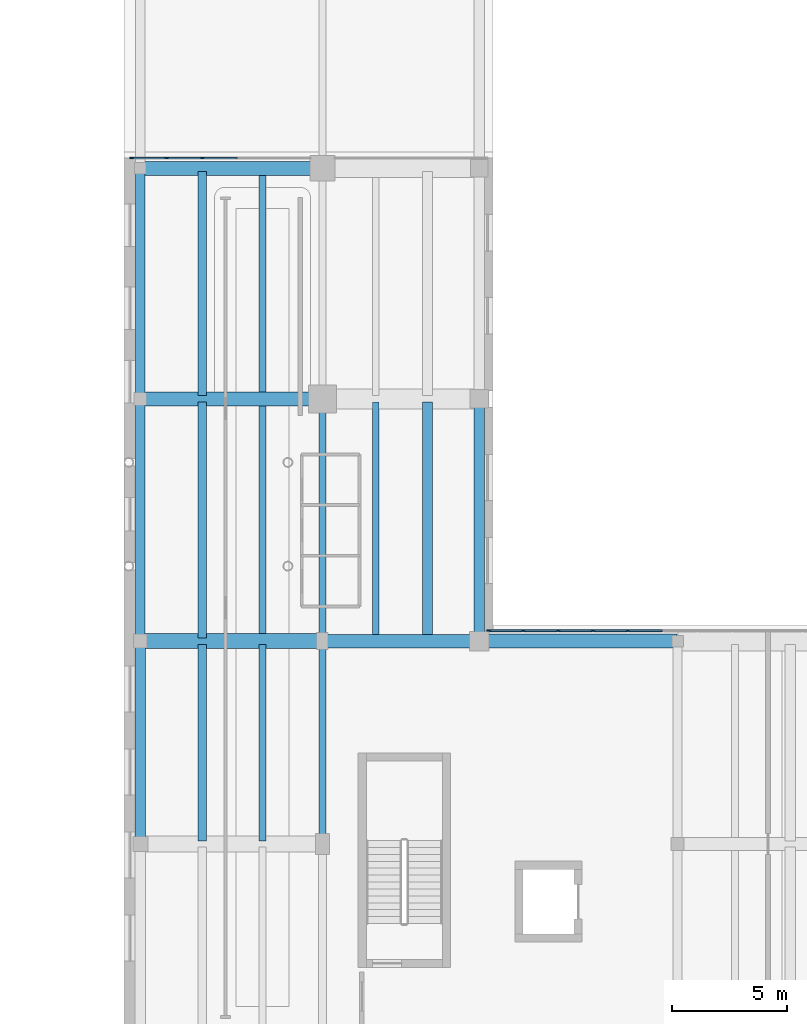
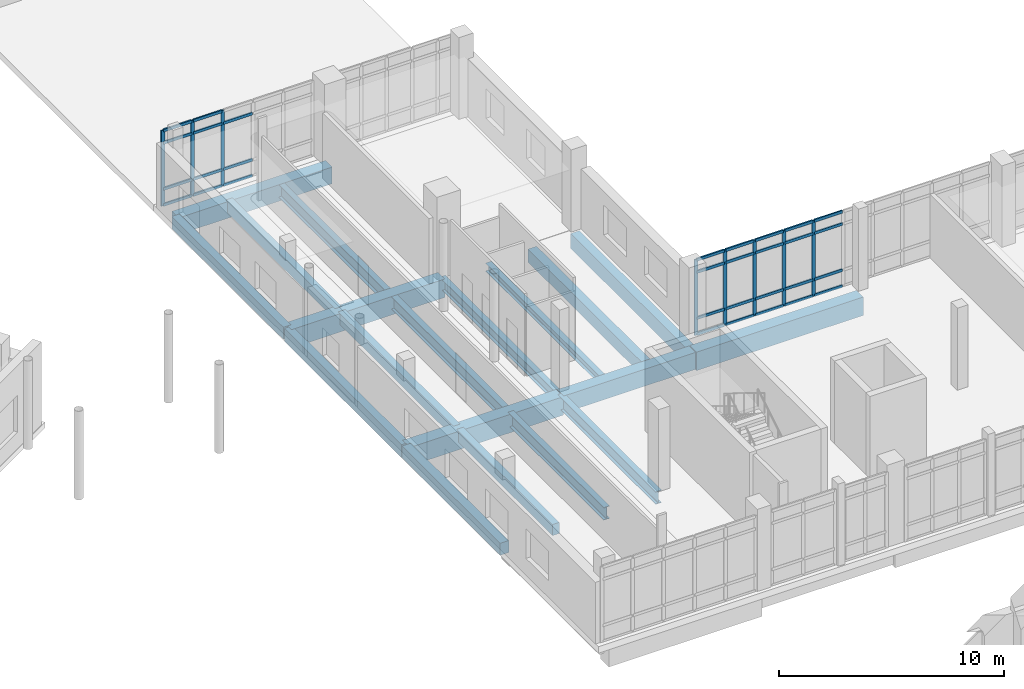
# One storey, part 36 of 89: 39 members, 19 beams, 2 elements without a shape of their own.
"""IFC4 building model written with IfcOpenShell, lengths in metres."""

from ifc_helpers import new_model, si_unit, direction, frame, origin, origin_2d, place, context, subcontext, project, spatial, rectangle, i_section, extrude, material, material_profile, profile_set, type_object, element, aggregate, save


model = new_model("IFC4")

# Units and contexts
model_context = context("Model", 3, precision=1e-05, world=origin(), true_north=direction((0.0, 1.0)))
body_context = subcontext(model_context, "Body", "Model", "MODEL_VIEW")
ifc_project = project(units=[si_unit("LENGTHUNIT", "METRE"), si_unit("AREAUNIT", "SQUARE_METRE"), si_unit("VOLUMEUNIT", "CUBIC_METRE"), si_unit("PLANEANGLEUNIT", "RADIAN"), si_unit("MASSUNIT", "GRAM", prefix="KILO")], contexts=[model_context])

# Site, building, storey
site_placement = place(None, origin())
site = spatial("IfcSite", under=ifc_project, at=site_placement, CompositionType="ELEMENT")
building_placement = place(site_placement, origin())
building = spatial("IfcBuilding", under=site, at=building_placement, Name="Soyqirgoq Riverine Aquarium", CompositionType="ELEMENT")
storey_placement = place(building_placement, frame((0.0, 0.0, 5.39990234375)))
storey = spatial("IfcBuildingStorey", under=building, at=storey_placement, Name="L02", CompositionType="ELEMENT", Elevation=5.39990234375)

# Beams
ifc_material_1 = material(Name="Concrete C40/50", Category="concrete")
ifc_material_profile_1 = material_profile(ifc_material_1, rectangle(XDim=0.35009765625, YDim=0.60009765625, at=origin_2d()), Name="RC 350x600")
ifc_profile_set_1 = profile_set([ifc_material_profile_1], Name="Concrete C40/50")
beam_type_1 = type_object("IfcBeamType", Name="Beam_RC_350x600", PredefinedType="JOIST", material=ifc_profile_set_1)
beam_1_placement = place(storey_placement, frame((117.385986328125, 65.639892578125, -0.64990234375), z_axis=(0.0, 1.0, 0.0), x_axis=(-1.0, 0.0, 0.0)))
element("IfcBeam", 1, at=beam_1_placement, inside=storey, type_object=beam_type_1, Name="V7 L02 Secondary Bay Joist 1343", PredefinedType="JOIST", context=body_context, shape_type="SweptSolid", body=[
    extrude(rectangle(XDim=0.35009765625, YDim=0.60009765625, at=origin_2d()), origin(), (0.0, 0.0, 1.0), 8.52001953125),
])
beam_2_placement = place(storey_placement, frame((117.385986328125, 74.43994140625, -0.64990234375), z_axis=(0.0, 1.0, 0.0), x_axis=(-1.0, 0.0, 0.0)))
element("IfcBeam", 2, at=beam_2_placement, inside=storey, type_object=beam_type_1, Name="V7 L02 Secondary Bay Joist 1349", PredefinedType="JOIST", context=body_context, shape_type="SweptSolid", body=[
    extrude(rectangle(XDim=0.35009765625, YDim=0.60009765625, at=origin_2d()), origin(), (0.0, 0.0, 1.0), 10.219970703125),
])
beam_3_placement = place(storey_placement, frame((117.385986328125, 84.93994140625, -0.64990234375), z_axis=(0.0, 1.0, 0.0), x_axis=(-1.0, 0.0, 0.0)))
element("IfcBeam", 3, at=beam_3_placement, inside=storey, type_object=beam_type_1, Name="V7 L02 Secondary Bay Joist 1353", PredefinedType="JOIST", context=body_context, shape_type="SweptSolid", body=[
    extrude(rectangle(XDim=0.35009765625, YDim=0.60009765625, at=origin_2d()), origin(), (0.0, 0.0, 1.0), 9.719970703125),
])
ifc_material_2 = material(Name="Concrete C40/50", Category="concrete")
ifc_material_profile_2 = material_profile(ifc_material_2, rectangle(XDim=0.39990234375, YDim=0.64990234375, at=origin_2d()), Name="RC 400x650")
ifc_profile_set_2 = profile_set([ifc_material_profile_2], Name="Concrete C40/50")
beam_type_2 = type_object("IfcBeamType", Name="Beam_RC_400x650", PredefinedType="BEAM", material=ifc_profile_set_2)
beam_4_placement = place(storey_placement, frame((114.699951171875, 84.85009765625, -0.6748046875), z_axis=(0.0, 1.0, 0.0), x_axis=(-1.0, 0.0, 0.0)))
element("IfcBeam", 4, at=beam_4_placement, inside=storey, type_object=beam_type_2, Name="V7 L02 North-South Frame Beam 1295", PredefinedType="BEAM", context=body_context, shape_type="SweptSolid", body=[
    extrude(rectangle(XDim=0.39990234375, YDim=0.64990234375, at=origin_2d()), origin(), (0.0, 0.0, 1.0), 9.89990234375),
])
ifc_material_3 = material(Name="Concrete C40/50", Category="concrete")
ifc_material_profile_3 = material_profile(ifc_material_3, rectangle(XDim=0.39990234375, YDim=0.699951171875, at=origin_2d()), Name="RC 400x700")
ifc_profile_set_3 = profile_set([ifc_material_profile_3], Name="Concrete C40/50")
beam_type_3 = type_object("IfcBeamType", Name="Beam_RC_400x700", PredefinedType="BEAM", material=ifc_profile_set_3)
beam_5_placement = place(storey_placement, frame((114.699951171875, 74.35009765625, -0.699951171875), z_axis=(0.0, 1.0, 0.0), x_axis=(-1.0, 0.0, 0.0)))
element("IfcBeam", 5, at=beam_5_placement, inside=storey, type_object=beam_type_3, Name="V7 L02 North-South Frame Beam 1293", PredefinedType="BEAM", context=body_context, shape_type="SweptSolid", body=[
    extrude(rectangle(XDim=0.39990234375, YDim=0.699951171875, at=origin_2d()), origin(), (0.0, 0.0, 1.0), 10.39990234375),
])
ifc_material_4 = material(Name="Concrete C40/50", Category="concrete")
ifc_material_profile_4 = material_profile(ifc_material_4, rectangle(XDim=0.449951171875, YDim=0.64990234375, at=origin_2d()), Name="RC 450x650")
ifc_profile_set_4 = profile_set([ifc_material_profile_4], Name="Concrete C40/50")
beam_type_4 = type_object("IfcBeamType", Name="Beam_RC_450x650", PredefinedType="BEAM", material=ifc_profile_set_4)
beam_6_placement = place(storey_placement, frame((114.699951171875, 65.550048828125, -0.6748046875), z_axis=(0.0, 1.0, 0.0), x_axis=(-1.0, 0.0, 0.0)))
element("IfcBeam", 6, at=beam_6_placement, inside=storey, type_object=beam_type_4, Name="V7 L02 North-South Frame Beam 1291", PredefinedType="BEAM", context=body_context, shape_type="SweptSolid", body=[
    extrude(rectangle(XDim=0.449951171875, YDim=0.64990234375, at=origin_2d()), origin(), (0.0, 0.0, 1.0), 8.699951171875),
])
ifc_material_5 = material(Name="Concrete C40/50", Category="concrete")
ifc_material_profile_5 = material_profile(ifc_material_5, rectangle(XDim=0.449951171875, YDim=0.699951171875, at=origin_2d()), Name="RC 450x700")
ifc_profile_set_5 = profile_set([ifc_material_profile_5], Name="Concrete C40/50")
beam_type_5 = type_object("IfcBeamType", Name="Beam_RC_450x700", PredefinedType="BEAM", material=ifc_profile_set_5)
beam_7_placement = place(storey_placement, frame((127.156005859375, 74.43994140625, -0.699951171875), z_axis=(0.0, 1.0, 0.0), x_axis=(-1.0, 0.0, 0.0)))
element("IfcBeam", 7, at=beam_7_placement, inside=storey, type_object=beam_type_5, Name="V7 L02 Secondary Bay Joist 1352", PredefinedType="BEAM", context=body_context, shape_type="SweptSolid", body=[
    extrude(rectangle(XDim=0.449951171875, YDim=0.699951171875, at=origin_2d()), origin(), (0.0, 0.0, 1.0), 10.219970703125),
])
ifc_material_6 = material(Name="Concrete C40/50", Category="concrete")
ifc_material_profile_6 = material_profile(ifc_material_6, rectangle(XDim=0.449951171875, YDim=0.800048828125, at=origin_2d()), Name="RC 450x800")
ifc_profile_set_6 = profile_set([ifc_material_profile_6], Name="Concrete C40/50")
beam_type_6 = type_object("IfcBeamType", Name="Beam_RC_450x800", PredefinedType="BEAM", material=ifc_profile_set_6)
beam_8_placement = place(storey_placement, frame((129.39990234375, 74.35009765625, -0.75), z_axis=(0.0, 1.0, 0.0), x_axis=(-1.0, 0.0, 0.0)))
element("IfcBeam", 8, at=beam_8_placement, inside=storey, type_object=beam_type_6, Name="V7 L02 North-South Frame Beam 1315", PredefinedType="BEAM", context=body_context, shape_type="SweptSolid", body=[
    extrude(rectangle(XDim=0.449951171875, YDim=0.800048828125, at=origin_2d()), origin(), (0.0, 0.0, 1.0), 10.39990234375),
])

# Curtain wall, members
ifc_material_7 = material(Name="Anodised aluminium thermally broken gallery curtain wall", Category="aluminium")
curtain_wall_type = type_object("IfcCurtainWallType", Name="CW_Pavilion_Ribbon", PredefinedType="NOTDEFINED", material=ifc_material_7)
curtain_wall_1_placement = place(storey_placement, origin())
curtain_wall_1 = element("IfcCurtainWall", 9, at=curtain_wall_1_placement, inside=storey, type_object=curtain_wall_type, Name="V7 L02 Curtain Wall 121", PredefinedType="NOTDEFINED")
ifc_material_8 = material(Name="Anodised aluminium 6063-T6", Category="aluminium")
ifc_material_profile_7 = material_profile(ifc_material_8, rectangle(XDim=0.06494140625, YDim=0.179931640625, at=origin_2d()), Name="ALU-M 65x180")
ifc_profile_set_7 = profile_set([ifc_material_profile_7], Name="Anodised aluminium 6063-T6")
member_type_1 = type_object("IfcMemberType", Name="CWMullion_65x180", PredefinedType="MULLION", material=ifc_profile_set_7)
member_1_placement = place(storey_placement, frame((114.322509765625, 95.25, 0.0), z_axis=(0.0, 0.0, 1.0), x_axis=(0.0, 1.0, 0.0)))
member_1 = element("IfcMember", 10, at=member_1_placement, type_object=member_type_1, Name="CW-05 mullion 1", PredefinedType="MULLION", context=body_context, shape_type="SweptSolid", body=[
    extrude(rectangle(XDim=0.06494140625, YDim=0.179931640625, at=origin_2d()), origin(), (0.0, 0.0, 1.0), 4.10009765625),
])
member_2_placement = place(storey_placement, frame((115.837890625, 95.25, 0.0), z_axis=(0.0, 0.0, 1.0), x_axis=(0.0, 1.0, 0.0)))
member_2 = element("IfcMember", 11, at=member_2_placement, type_object=member_type_1, Name="CW-05 mullion 2", PredefinedType="MULLION", context=body_context, shape_type="SweptSolid", body=[
    extrude(rectangle(XDim=0.06494140625, YDim=0.179931640625, at=origin_2d()), origin(), (0.0, 0.0, 1.0), 4.10009765625),
])
member_3_placement = place(storey_placement, frame((117.385986328125, 95.25, 0.0), z_axis=(0.0, 0.0, 1.0), x_axis=(0.0, 1.0, 0.0)))
member_3 = element("IfcMember", 12, at=member_3_placement, type_object=member_type_1, Name="CW-05 mullion 3", PredefinedType="MULLION", context=body_context, shape_type="SweptSolid", body=[
    extrude(rectangle(XDim=0.06494140625, YDim=0.179931640625, at=origin_2d()), origin(), (0.0, 0.0, 1.0), 4.10009765625),
])

curtain_wall_2_placement = place(storey_placement, origin())
curtain_wall_2 = element("IfcCurtainWall", 13, at=curtain_wall_2_placement, inside=storey, type_object=curtain_wall_type, Name="V7 L02 Curtain Wall 123", PredefinedType="NOTDEFINED")
member_4_placement = place(storey_placement, frame((129.822509765625, 74.75, 0.0), z_axis=(0.0, 0.0, 1.0), x_axis=(0.0, 1.0, 0.0)))
member_4 = element("IfcMember", 14, at=member_4_placement, type_object=member_type_1, Name="CW-05 mullion 1", PredefinedType="MULLION", context=body_context, shape_type="SweptSolid", body=[
    extrude(rectangle(XDim=0.06494140625, YDim=0.179931640625, at=origin_2d()), origin(), (0.0, 0.0, 1.0), 4.10009765625),
])
member_5_placement = place(storey_placement, frame((131.303955078125, 74.75, 0.0), z_axis=(0.0, 0.0, 1.0), x_axis=(0.0, 1.0, 0.0)))
member_5 = element("IfcMember", 15, at=member_5_placement, type_object=member_type_1, Name="CW-05 mullion 2", PredefinedType="MULLION", context=body_context, shape_type="SweptSolid", body=[
    extrude(rectangle(XDim=0.06494140625, YDim=0.179931640625, at=origin_2d()), origin(), (0.0, 0.0, 1.0), 4.10009765625),
])
member_6_placement = place(storey_placement, frame((132.818115234375, 74.75, 0.0), z_axis=(0.0, 0.0, 1.0), x_axis=(0.0, 1.0, 0.0)))
member_6 = element("IfcMember", 16, at=member_6_placement, type_object=member_type_1, Name="CW-05 mullion 3", PredefinedType="MULLION", context=body_context, shape_type="SweptSolid", body=[
    extrude(rectangle(XDim=0.06494140625, YDim=0.179931640625, at=origin_2d()), origin(), (0.0, 0.0, 1.0), 4.10009765625),
])
member_7_placement = place(storey_placement, frame((134.33203125, 74.75, 0.0), z_axis=(0.0, 0.0, 1.0), x_axis=(0.0, 1.0, 0.0)))
member_7 = element("IfcMember", 17, at=member_7_placement, type_object=member_type_1, Name="CW-05 mullion 4", PredefinedType="MULLION", context=body_context, shape_type="SweptSolid", body=[
    extrude(rectangle(XDim=0.06494140625, YDim=0.179931640625, at=origin_2d()), origin(), (0.0, 0.0, 1.0), 4.10009765625),
])
member_8_placement = place(storey_placement, frame((135.845947265625, 74.75, 0.0), z_axis=(0.0, 0.0, 1.0), x_axis=(0.0, 1.0, 0.0)))
member_8 = element("IfcMember", 18, at=member_8_placement, type_object=member_type_1, Name="CW-05 mullion 5", PredefinedType="MULLION", context=body_context, shape_type="SweptSolid", body=[
    extrude(rectangle(XDim=0.06494140625, YDim=0.179931640625, at=origin_2d()), origin(), (0.0, 0.0, 1.0), 4.10009765625),
])

# Member
ifc_material_9 = material(Name="Anodised aluminium 6063-T6", Category="aluminium")
ifc_material_profile_8 = material_profile(ifc_material_9, rectangle(XDim=0.074951171875, YDim=0.14990234375, at=origin_2d()), Name="ALU-T 75x150")
ifc_profile_set_8 = profile_set([ifc_material_profile_8], Name="Anodised aluminium 6063-T6")
member_type_2 = type_object("IfcMemberType", Name="CWTransom_75x150", PredefinedType="USERDEFINED", material=ifc_profile_set_8)
member_9_placement = place(storey_placement, frame((114.35498046875, 95.25, 0.03759765625), z_axis=(1.0, 0.0, 0.0), x_axis=(0.0, 1.0, 0.0)))
member_9 = element("IfcMember", 19, at=member_9_placement, type_object=member_type_2, Name="CW-05 transom 1.1", ObjectType="TRANSOM", PredefinedType="USERDEFINED", context=body_context, shape_type="SweptSolid", body=[
    extrude(rectangle(XDim=0.074951171875, YDim=0.14990234375, at=origin_2d()), origin(), (0.0, 0.0, 1.0), 1.450439453125),
])

member_10_placement = place(storey_placement, frame((114.35498046875, 95.25, 0.900146484375), z_axis=(1.0, 0.0, 0.0), x_axis=(0.0, 1.0, 0.0)))
member_10 = element("IfcMember", 20, at=member_10_placement, type_object=member_type_2, Name="CW-05 transom 1.2", ObjectType="TRANSOM", PredefinedType="USERDEFINED", context=body_context, shape_type="SweptSolid", body=[
    extrude(rectangle(XDim=0.074951171875, YDim=0.14990234375, at=origin_2d()), origin(), (0.0, 0.0, 1.0), 1.450439453125),
])

member_11_placement = place(storey_placement, frame((114.35498046875, 95.25, 3.400146484375), z_axis=(1.0, 0.0, 0.0), x_axis=(0.0, 1.0, 0.0)))
member_11 = element("IfcMember", 21, at=member_11_placement, type_object=member_type_2, Name="CW-05 transom 1.3", ObjectType="TRANSOM", PredefinedType="USERDEFINED", context=body_context, shape_type="SweptSolid", body=[
    extrude(rectangle(XDim=0.074951171875, YDim=0.14990234375, at=origin_2d()), origin(), (0.0, 0.0, 1.0), 1.450439453125),
])

member_12_placement = place(storey_placement, frame((114.35498046875, 95.25, 4.0625), z_axis=(1.0, 0.0, 0.0), x_axis=(0.0, 1.0, 0.0)))
member_12 = element("IfcMember", 22, at=member_12_placement, type_object=member_type_2, Name="CW-05 transom 1.4", ObjectType="TRANSOM", PredefinedType="USERDEFINED", context=body_context, shape_type="SweptSolid", body=[
    extrude(rectangle(XDim=0.074951171875, YDim=0.14990234375, at=origin_2d()), origin(), (0.0, 0.0, 1.0), 1.450439453125),
])

member_13_placement = place(storey_placement, frame((115.87060546875, 95.25, 0.03759765625), z_axis=(1.0, 0.0, 0.0), x_axis=(0.0, 1.0, 0.0)))
member_13 = element("IfcMember", 23, at=member_13_placement, type_object=member_type_2, Name="CW-05 transom 2.1", ObjectType="TRANSOM", PredefinedType="USERDEFINED", context=body_context, shape_type="SweptSolid", body=[
    extrude(rectangle(XDim=0.074951171875, YDim=0.14990234375, at=origin_2d()), origin(), (0.0, 0.0, 1.0), 1.48291015625),
])

member_14_placement = place(storey_placement, frame((115.87060546875, 95.25, 0.900146484375), z_axis=(1.0, 0.0, 0.0), x_axis=(0.0, 1.0, 0.0)))
member_14 = element("IfcMember", 24, at=member_14_placement, type_object=member_type_2, Name="CW-05 transom 2.2", ObjectType="TRANSOM", PredefinedType="USERDEFINED", context=body_context, shape_type="SweptSolid", body=[
    extrude(rectangle(XDim=0.074951171875, YDim=0.14990234375, at=origin_2d()), origin(), (0.0, 0.0, 1.0), 1.48291015625),
])

member_15_placement = place(storey_placement, frame((115.87060546875, 95.25, 3.400146484375), z_axis=(1.0, 0.0, 0.0), x_axis=(0.0, 1.0, 0.0)))
member_15 = element("IfcMember", 25, at=member_15_placement, type_object=member_type_2, Name="CW-05 transom 2.3", ObjectType="TRANSOM", PredefinedType="USERDEFINED", context=body_context, shape_type="SweptSolid", body=[
    extrude(rectangle(XDim=0.074951171875, YDim=0.14990234375, at=origin_2d()), origin(), (0.0, 0.0, 1.0), 1.48291015625),
])

member_16_placement = place(storey_placement, frame((115.87060546875, 95.25, 4.0625), z_axis=(1.0, 0.0, 0.0), x_axis=(0.0, 1.0, 0.0)))
member_16 = element("IfcMember", 26, at=member_16_placement, type_object=member_type_2, Name="CW-05 transom 2.4", ObjectType="TRANSOM", PredefinedType="USERDEFINED", context=body_context, shape_type="SweptSolid", body=[
    extrude(rectangle(XDim=0.074951171875, YDim=0.14990234375, at=origin_2d()), origin(), (0.0, 0.0, 1.0), 1.48291015625),
])

member_17_placement = place(storey_placement, frame((117.41845703125, 95.25, 0.03759765625), z_axis=(1.0, 0.0, 0.0), x_axis=(0.0, 1.0, 0.0)))
member_17 = element("IfcMember", 27, at=member_17_placement, type_object=member_type_2, Name="CW-05 transom 3.1", ObjectType="TRANSOM", PredefinedType="USERDEFINED", context=body_context, shape_type="SweptSolid", body=[
    extrude(rectangle(XDim=0.074951171875, YDim=0.14990234375, at=origin_2d()), origin(), (0.0, 0.0, 1.0), 1.483154296875),
])

member_18_placement = place(storey_placement, frame((117.41845703125, 95.25, 0.900146484375), z_axis=(1.0, 0.0, 0.0), x_axis=(0.0, 1.0, 0.0)))
member_18 = element("IfcMember", 28, at=member_18_placement, type_object=member_type_2, Name="CW-05 transom 3.2", ObjectType="TRANSOM", PredefinedType="USERDEFINED", context=body_context, shape_type="SweptSolid", body=[
    extrude(rectangle(XDim=0.074951171875, YDim=0.14990234375, at=origin_2d()), origin(), (0.0, 0.0, 1.0), 1.483154296875),
])

member_19_placement = place(storey_placement, frame((117.41845703125, 95.25, 3.400146484375), z_axis=(1.0, 0.0, 0.0), x_axis=(0.0, 1.0, 0.0)))
member_19 = element("IfcMember", 29, at=member_19_placement, type_object=member_type_2, Name="CW-05 transom 3.3", ObjectType="TRANSOM", PredefinedType="USERDEFINED", context=body_context, shape_type="SweptSolid", body=[
    extrude(rectangle(XDim=0.074951171875, YDim=0.14990234375, at=origin_2d()), origin(), (0.0, 0.0, 1.0), 1.483154296875),
])

aggregate(curtain_wall_1, [member_1, member_2, member_3, member_9, member_10, member_11, member_12, member_13, member_14, member_15, member_16, member_17, member_18, member_19])

member_20_placement = place(storey_placement, frame((129.85498046875, 74.75, 0.03759765625), z_axis=(1.0, 0.0, 0.0), x_axis=(0.0, 1.0, 0.0)))
member_20 = element("IfcMember", 30, at=member_20_placement, type_object=member_type_2, Name="CW-05 transom 1.1", ObjectType="TRANSOM", PredefinedType="USERDEFINED", context=body_context, shape_type="SweptSolid", body=[
    extrude(rectangle(XDim=0.074951171875, YDim=0.14990234375, at=origin_2d()), origin(), (0.0, 0.0, 1.0), 1.41650390625),
])

member_21_placement = place(storey_placement, frame((129.85498046875, 74.75, 0.900146484375), z_axis=(1.0, 0.0, 0.0), x_axis=(0.0, 1.0, 0.0)))
member_21 = element("IfcMember", 31, at=member_21_placement, type_object=member_type_2, Name="CW-05 transom 1.2", ObjectType="TRANSOM", PredefinedType="USERDEFINED", context=body_context, shape_type="SweptSolid", body=[
    extrude(rectangle(XDim=0.074951171875, YDim=0.14990234375, at=origin_2d()), origin(), (0.0, 0.0, 1.0), 1.41650390625),
])

member_22_placement = place(storey_placement, frame((129.85498046875, 74.75, 3.400146484375), z_axis=(1.0, 0.0, 0.0), x_axis=(0.0, 1.0, 0.0)))
member_22 = element("IfcMember", 32, at=member_22_placement, type_object=member_type_2, Name="CW-05 transom 1.3", ObjectType="TRANSOM", PredefinedType="USERDEFINED", context=body_context, shape_type="SweptSolid", body=[
    extrude(rectangle(XDim=0.074951171875, YDim=0.14990234375, at=origin_2d()), origin(), (0.0, 0.0, 1.0), 1.41650390625),
])

member_23_placement = place(storey_placement, frame((129.85498046875, 74.75, 4.0625), z_axis=(1.0, 0.0, 0.0), x_axis=(0.0, 1.0, 0.0)))
member_23 = element("IfcMember", 33, at=member_23_placement, type_object=member_type_2, Name="CW-05 transom 1.4", ObjectType="TRANSOM", PredefinedType="USERDEFINED", context=body_context, shape_type="SweptSolid", body=[
    extrude(rectangle(XDim=0.074951171875, YDim=0.14990234375, at=origin_2d()), origin(), (0.0, 0.0, 1.0), 1.41650390625),
])

member_24_placement = place(storey_placement, frame((131.33642578125, 74.75, 0.03759765625), z_axis=(1.0, 0.0, 0.0), x_axis=(0.0, 1.0, 0.0)))
member_24 = element("IfcMember", 34, at=member_24_placement, type_object=member_type_2, Name="CW-05 transom 2.1", ObjectType="TRANSOM", PredefinedType="USERDEFINED", context=body_context, shape_type="SweptSolid", body=[
    extrude(rectangle(XDim=0.074951171875, YDim=0.14990234375, at=origin_2d()), origin(), (0.0, 0.0, 1.0), 1.448974609375),
])

member_25_placement = place(storey_placement, frame((131.33642578125, 74.75, 0.900146484375), z_axis=(1.0, 0.0, 0.0), x_axis=(0.0, 1.0, 0.0)))
member_25 = element("IfcMember", 35, at=member_25_placement, type_object=member_type_2, Name="CW-05 transom 2.2", ObjectType="TRANSOM", PredefinedType="USERDEFINED", context=body_context, shape_type="SweptSolid", body=[
    extrude(rectangle(XDim=0.074951171875, YDim=0.14990234375, at=origin_2d()), origin(), (0.0, 0.0, 1.0), 1.448974609375),
])

member_26_placement = place(storey_placement, frame((131.33642578125, 74.75, 3.400146484375), z_axis=(1.0, 0.0, 0.0), x_axis=(0.0, 1.0, 0.0)))
member_26 = element("IfcMember", 36, at=member_26_placement, type_object=member_type_2, Name="CW-05 transom 2.3", ObjectType="TRANSOM", PredefinedType="USERDEFINED", context=body_context, shape_type="SweptSolid", body=[
    extrude(rectangle(XDim=0.074951171875, YDim=0.14990234375, at=origin_2d()), origin(), (0.0, 0.0, 1.0), 1.448974609375),
])

member_27_placement = place(storey_placement, frame((131.33642578125, 74.75, 4.0625), z_axis=(1.0, 0.0, 0.0), x_axis=(0.0, 1.0, 0.0)))
member_27 = element("IfcMember", 37, at=member_27_placement, type_object=member_type_2, Name="CW-05 transom 2.4", ObjectType="TRANSOM", PredefinedType="USERDEFINED", context=body_context, shape_type="SweptSolid", body=[
    extrude(rectangle(XDim=0.074951171875, YDim=0.14990234375, at=origin_2d()), origin(), (0.0, 0.0, 1.0), 1.448974609375),
])

member_28_placement = place(storey_placement, frame((132.8505859375, 74.75, 0.03759765625), z_axis=(1.0, 0.0, 0.0), x_axis=(0.0, 1.0, 0.0)))
member_28 = element("IfcMember", 38, at=member_28_placement, type_object=member_type_2, Name="CW-05 transom 3.1", ObjectType="TRANSOM", PredefinedType="USERDEFINED", context=body_context, shape_type="SweptSolid", body=[
    extrude(rectangle(XDim=0.074951171875, YDim=0.14990234375, at=origin_2d()), origin(), (0.0, 0.0, 1.0), 1.448974609375),
])

member_29_placement = place(storey_placement, frame((132.8505859375, 74.75, 0.900146484375), z_axis=(1.0, 0.0, 0.0), x_axis=(0.0, 1.0, 0.0)))
member_29 = element("IfcMember", 39, at=member_29_placement, type_object=member_type_2, Name="CW-05 transom 3.2", ObjectType="TRANSOM", PredefinedType="USERDEFINED", context=body_context, shape_type="SweptSolid", body=[
    extrude(rectangle(XDim=0.074951171875, YDim=0.14990234375, at=origin_2d()), origin(), (0.0, 0.0, 1.0), 1.448974609375),
])

member_30_placement = place(storey_placement, frame((132.8505859375, 74.75, 3.400146484375), z_axis=(1.0, 0.0, 0.0), x_axis=(0.0, 1.0, 0.0)))
member_30 = element("IfcMember", 40, at=member_30_placement, type_object=member_type_2, Name="CW-05 transom 3.3", ObjectType="TRANSOM", PredefinedType="USERDEFINED", context=body_context, shape_type="SweptSolid", body=[
    extrude(rectangle(XDim=0.074951171875, YDim=0.14990234375, at=origin_2d()), origin(), (0.0, 0.0, 1.0), 1.448974609375),
])

member_31_placement = place(storey_placement, frame((132.8505859375, 74.75, 4.0625), z_axis=(1.0, 0.0, 0.0), x_axis=(0.0, 1.0, 0.0)))
member_31 = element("IfcMember", 41, at=member_31_placement, type_object=member_type_2, Name="CW-05 transom 3.4", ObjectType="TRANSOM", PredefinedType="USERDEFINED", context=body_context, shape_type="SweptSolid", body=[
    extrude(rectangle(XDim=0.074951171875, YDim=0.14990234375, at=origin_2d()), origin(), (0.0, 0.0, 1.0), 1.448974609375),
])

member_32_placement = place(storey_placement, frame((134.364501953125, 74.75, 0.03759765625), z_axis=(1.0, 0.0, 0.0), x_axis=(0.0, 1.0, 0.0)))
member_32 = element("IfcMember", 42, at=member_32_placement, type_object=member_type_2, Name="CW-05 transom 4.1", ObjectType="TRANSOM", PredefinedType="USERDEFINED", context=body_context, shape_type="SweptSolid", body=[
    extrude(rectangle(XDim=0.074951171875, YDim=0.14990234375, at=origin_2d()), origin(), (0.0, 0.0, 1.0), 1.448974609375),
])

member_33_placement = place(storey_placement, frame((134.364501953125, 74.75, 0.900146484375), z_axis=(1.0, 0.0, 0.0), x_axis=(0.0, 1.0, 0.0)))
member_33 = element("IfcMember", 43, at=member_33_placement, type_object=member_type_2, Name="CW-05 transom 4.2", ObjectType="TRANSOM", PredefinedType="USERDEFINED", context=body_context, shape_type="SweptSolid", body=[
    extrude(rectangle(XDim=0.074951171875, YDim=0.14990234375, at=origin_2d()), origin(), (0.0, 0.0, 1.0), 1.448974609375),
])

member_34_placement = place(storey_placement, frame((134.364501953125, 74.75, 3.400146484375), z_axis=(1.0, 0.0, 0.0), x_axis=(0.0, 1.0, 0.0)))
member_34 = element("IfcMember", 44, at=member_34_placement, type_object=member_type_2, Name="CW-05 transom 4.3", ObjectType="TRANSOM", PredefinedType="USERDEFINED", context=body_context, shape_type="SweptSolid", body=[
    extrude(rectangle(XDim=0.074951171875, YDim=0.14990234375, at=origin_2d()), origin(), (0.0, 0.0, 1.0), 1.448974609375),
])

member_35_placement = place(storey_placement, frame((134.364501953125, 74.75, 4.0625), z_axis=(1.0, 0.0, 0.0), x_axis=(0.0, 1.0, 0.0)))
member_35 = element("IfcMember", 45, at=member_35_placement, type_object=member_type_2, Name="CW-05 transom 4.4", ObjectType="TRANSOM", PredefinedType="USERDEFINED", context=body_context, shape_type="SweptSolid", body=[
    extrude(rectangle(XDim=0.074951171875, YDim=0.14990234375, at=origin_2d()), origin(), (0.0, 0.0, 1.0), 1.448974609375),
])

member_36_placement = place(storey_placement, frame((135.87841796875, 74.75, 0.03759765625), z_axis=(1.0, 0.0, 0.0), x_axis=(0.0, 1.0, 0.0)))
member_36 = element("IfcMember", 46, at=member_36_placement, type_object=member_type_2, Name="CW-05 transom 5.1", ObjectType="TRANSOM", PredefinedType="USERDEFINED", context=body_context, shape_type="SweptSolid", body=[
    extrude(rectangle(XDim=0.074951171875, YDim=0.14990234375, at=origin_2d()), origin(), (0.0, 0.0, 1.0), 1.448974609375),
])

member_37_placement = place(storey_placement, frame((135.87841796875, 74.75, 0.900146484375), z_axis=(1.0, 0.0, 0.0), x_axis=(0.0, 1.0, 0.0)))
member_37 = element("IfcMember", 47, at=member_37_placement, type_object=member_type_2, Name="CW-05 transom 5.2", ObjectType="TRANSOM", PredefinedType="USERDEFINED", context=body_context, shape_type="SweptSolid", body=[
    extrude(rectangle(XDim=0.074951171875, YDim=0.14990234375, at=origin_2d()), origin(), (0.0, 0.0, 1.0), 1.448974609375),
])

member_38_placement = place(storey_placement, frame((135.87841796875, 74.75, 3.400146484375), z_axis=(1.0, 0.0, 0.0), x_axis=(0.0, 1.0, 0.0)))
member_38 = element("IfcMember", 48, at=member_38_placement, type_object=member_type_2, Name="CW-05 transom 5.3", ObjectType="TRANSOM", PredefinedType="USERDEFINED", context=body_context, shape_type="SweptSolid", body=[
    extrude(rectangle(XDim=0.074951171875, YDim=0.14990234375, at=origin_2d()), origin(), (0.0, 0.0, 1.0), 1.448974609375),
])

member_39_placement = place(storey_placement, frame((135.87841796875, 74.75, 4.0625), z_axis=(1.0, 0.0, 0.0), x_axis=(0.0, 1.0, 0.0)))
member_39 = element("IfcMember", 49, at=member_39_placement, type_object=member_type_2, Name="CW-05 transom 5.4", ObjectType="TRANSOM", PredefinedType="USERDEFINED", context=body_context, shape_type="SweptSolid", body=[
    extrude(rectangle(XDim=0.074951171875, YDim=0.14990234375, at=origin_2d()), origin(), (0.0, 0.0, 1.0), 1.448974609375),
])

aggregate(curtain_wall_2, [member_4, member_5, member_6, member_7, member_8, member_20, member_21, member_22, member_23, member_24, member_25, member_26, member_27, member_28, member_29, member_30, member_31, member_32, member_33, member_34, member_35, member_36, member_37, member_38, member_39])

# Beams
ifc_material_10 = material(Name="Concrete C40/50", Category="concrete")
ifc_material_profile_9 = material_profile(ifc_material_10, rectangle(XDim=0.580078125, YDim=0.919921875, at=origin_2d()), Name="RC 580x920")
ifc_profile_set_9 = profile_set([ifc_material_profile_9], Name="Concrete C40/50")
beam_type_7 = type_object("IfcBeamType", Name="Girder_RC_580x920", PredefinedType="BEAM", material=ifc_profile_set_9)
beam_9_placement = place(storey_placement, frame((122.6201171875, 74.300048828125, -0.809814453125), z_axis=(1.0, 0.0, 0.0), x_axis=(0.0, 1.0, 0.0)))
element("IfcBeam", 50, at=beam_9_placement, inside=storey, type_object=beam_type_7, Name="V7 L02 East-West Frame Girder 1306", PredefinedType="BEAM", context=body_context, shape_type="SweptSolid", body=[
    extrude(rectangle(XDim=0.580078125, YDim=0.919921875, at=origin_2d()), origin(), (0.0, 0.0, 1.0), 6.759765625),
])
ifc_material_11 = material(Name="Concrete C40/50", Category="concrete")
ifc_material_profile_10 = material_profile(ifc_material_11, rectangle(XDim=0.60009765625, YDim=1.0, at=origin_2d()), Name="RC 600x1000")
ifc_profile_set_10 = profile_set([ifc_material_profile_10], Name="Concrete C40/50")
beam_type_8 = type_object("IfcBeamType", Name="Girder_RC_600x1000", PredefinedType="BEAM", material=ifc_profile_set_10)
beam_10_placement = place(storey_placement, frame((114.719970703125, 84.800048828125, -0.849853515625), z_axis=(1.0, 0.0, 0.0), x_axis=(0.0, 1.0, 0.0)))
element("IfcBeam", 51, at=beam_10_placement, inside=storey, type_object=beam_type_8, Name="V7 L02 East-West Frame Girder 1296", PredefinedType="BEAM", context=body_context, shape_type="SweptSolid", body=[
    extrude(rectangle(XDim=0.60009765625, YDim=1.0, at=origin_2d()), origin(), (0.0, 0.0, 1.0), 7.860107421875),
])
beam_11_placement = place(storey_placement, frame((129.419921875, 74.300048828125, -0.849853515625), z_axis=(1.0, 0.0, 0.0), x_axis=(0.0, 1.0, 0.0)))
element("IfcBeam", 52, at=beam_11_placement, inside=storey, type_object=beam_type_8, Name="V7 L02 East-West Frame Girder 1316", PredefinedType="BEAM", context=body_context, shape_type="SweptSolid", body=[
    extrude(rectangle(XDim=0.60009765625, YDim=1.0, at=origin_2d()), origin(), (0.0, 0.0, 1.0), 8.56005859375),
])
ifc_material_12 = material(Name="Concrete C40/50", Category="concrete")
ifc_material_profile_11 = material_profile(ifc_material_12, rectangle(XDim=0.60009765625, YDim=0.89990234375, at=origin_2d()), Name="RC 600x900")
ifc_profile_set_11 = profile_set([ifc_material_profile_11], Name="Concrete C40/50")
beam_type_9 = type_object("IfcBeamType", Name="Girder_RC_600x900", PredefinedType="BEAM", material=ifc_profile_set_11)
beam_12_placement = place(storey_placement, frame((114.719970703125, 94.800048828125, -0.7998046875), z_axis=(1.0, 0.0, 0.0), x_axis=(0.0, 1.0, 0.0)))
element("IfcBeam", 53, at=beam_12_placement, inside=storey, type_object=beam_type_9, Name="V7 L02 East-West Frame Girder 1298", PredefinedType="BEAM", context=body_context, shape_type="SweptSolid", body=[
    extrude(rectangle(XDim=0.60009765625, YDim=0.89990234375, at=origin_2d()), origin(), (0.0, 0.0, 1.0), 7.860107421875),
])
ifc_material_13 = material(Name="Concrete C40/50", Category="concrete")
ifc_material_profile_12 = material_profile(ifc_material_13, rectangle(XDim=0.64990234375, YDim=1.0, at=origin_2d()), Name="RC 650x1000")
ifc_profile_set_12 = profile_set([ifc_material_profile_12], Name="Concrete C40/50")
beam_type_10 = type_object("IfcBeamType", Name="Girder_RC_650x1000", PredefinedType="BEAM", material=ifc_profile_set_12)
beam_13_placement = place(storey_placement, frame((114.719970703125, 74.300048828125, -0.849853515625), z_axis=(1.0, 0.0, 0.0), x_axis=(0.0, 1.0, 0.0)))
element("IfcBeam", 54, at=beam_13_placement, inside=storey, type_object=beam_type_10, Name="V7 L02 East-West Frame Girder 1294", PredefinedType="BEAM", context=body_context, shape_type="SweptSolid", body=[
    extrude(rectangle(XDim=0.64990234375, YDim=1.0, at=origin_2d()), origin(), (0.0, 0.0, 1.0), 7.860107421875),
])
ifc_material_14 = material(Name="Structural steel S355", Category="steel")
ifc_material_profile_13 = material_profile(ifc_material_14, i_section(OverallWidth=0.300048828125, OverallDepth=0.43994140625, WebThickness=0.011474609375, FlangeThickness=0.02099609375, FilletRadius=0.027099609375, at=origin_2d()), Name="HEA 450")
ifc_profile_set_13 = profile_set([ifc_material_profile_13], Name="Structural steel S355")
beam_type_11 = type_object("IfcBeamType", Name="SteelBeam_HEA450", PredefinedType="BEAM", material=ifc_profile_set_13)
beam_14_placement = place(storey_placement, frame((124.912109375, 74.43994140625, -0.56982421875), z_axis=(0.0, 1.0, 0.0), x_axis=(-1.0, 0.0, 0.0)))
element("IfcBeam", 55, at=beam_14_placement, inside=storey, type_object=beam_type_11, Name="V7 L02 Secondary Bay Joist 1351", PredefinedType="BEAM", context=body_context, shape_type="SweptSolid", body=[
    extrude(i_section(OverallWidth=0.300048828125, OverallDepth=0.43994140625, WebThickness=0.011474609375, FlangeThickness=0.02099609375, FilletRadius=0.027099609375, at=origin_2d()), origin(), (0.0, 0.0, 1.0), 10.219970703125),
])
ifc_material_15 = material(Name="Structural steel S355", Category="steel")
ifc_material_profile_14 = material_profile(ifc_material_15, i_section(OverallWidth=0.300048828125, OverallDepth=0.590087890625, WebThickness=0.012939453125, FlangeThickness=0.02490234375, FilletRadius=0.027099609375, at=origin_2d()), Name="HEA 600")
ifc_profile_set_14 = profile_set([ifc_material_profile_14], Name="Structural steel S355")
beam_type_12 = type_object("IfcBeamType", Name="SteelBeam_HEA600", PredefinedType="BEAM", material=ifc_profile_set_14)
beam_15_placement = place(storey_placement, frame((122.60009765625, 74.35009765625, -0.64501953125), z_axis=(0.0, 1.0, 0.0), x_axis=(-1.0, 0.0, 0.0)))
element("IfcBeam", 56, at=beam_15_placement, inside=storey, type_object=beam_type_12, Name="V7 L02 North-South Frame Beam 1305", PredefinedType="BEAM", context=body_context, shape_type="SweptSolid", body=[
    extrude(i_section(OverallWidth=0.300048828125, OverallDepth=0.590087890625, WebThickness=0.012939453125, FlangeThickness=0.02490234375, FilletRadius=0.027099609375, at=origin_2d()), origin(), (0.0, 0.0, 1.0), 10.39990234375),
])
ifc_material_16 = material(Name="Structural steel S355", Category="steel")
ifc_material_profile_15 = material_profile(ifc_material_16, i_section(OverallWidth=0.300048828125, OverallDepth=0.68994140625, WebThickness=0.014404296875, FlangeThickness=0.027099609375, FilletRadius=0.027099609375, at=origin_2d()), Name="HEA 700")
ifc_profile_set_15 = profile_set([ifc_material_profile_15], Name="Structural steel S355")
beam_type_13 = type_object("IfcBeamType", Name="SteelBeam_HEA700", PredefinedType="BEAM", material=ifc_profile_set_15)
beam_16_placement = place(storey_placement, frame((122.60009765625, 65.550048828125, -0.69482421875), z_axis=(0.0, 1.0, 0.0), x_axis=(-1.0, 0.0, 0.0)))
element("IfcBeam", 57, at=beam_16_placement, inside=storey, type_object=beam_type_13, Name="V7 L02 North-South Frame Beam 1304", PredefinedType="BEAM", context=body_context, shape_type="SweptSolid", body=[
    extrude(i_section(OverallWidth=0.300048828125, OverallDepth=0.68994140625, WebThickness=0.014404296875, FlangeThickness=0.027099609375, FilletRadius=0.027099609375, at=origin_2d()), origin(), (0.0, 0.0, 1.0), 8.699951171875),
])
beam_17_placement = place(storey_placement, frame((119.992919921875, 65.639892578125, -0.69482421875), z_axis=(0.0, 1.0, 0.0), x_axis=(-1.0, 0.0, 0.0)))
element("IfcBeam", 58, at=beam_17_placement, inside=storey, type_object=beam_type_13, Name="V7 L02 Secondary Bay Joist 1344", PredefinedType="BEAM", context=body_context, shape_type="SweptSolid", body=[
    extrude(i_section(OverallWidth=0.300048828125, OverallDepth=0.68994140625, WebThickness=0.014404296875, FlangeThickness=0.027099609375, FilletRadius=0.027099609375, at=origin_2d()), origin(), (0.0, 0.0, 1.0), 8.52001953125),
])
beam_18_placement = place(storey_placement, frame((119.992919921875, 74.43994140625, -0.69482421875), z_axis=(0.0, 1.0, 0.0), x_axis=(-1.0, 0.0, 0.0)))
element("IfcBeam", 59, at=beam_18_placement, inside=storey, type_object=beam_type_13, Name="V7 L02 Secondary Bay Joist 1350", PredefinedType="BEAM", context=body_context, shape_type="SweptSolid", body=[
    extrude(i_section(OverallWidth=0.300048828125, OverallDepth=0.68994140625, WebThickness=0.014404296875, FlangeThickness=0.027099609375, FilletRadius=0.027099609375, at=origin_2d()), origin(), (0.0, 0.0, 1.0), 10.219970703125),
])
beam_19_placement = place(storey_placement, frame((119.992919921875, 84.93994140625, -0.69482421875), z_axis=(0.0, 1.0, 0.0), x_axis=(-1.0, 0.0, 0.0)))
element("IfcBeam", 60, at=beam_19_placement, inside=storey, type_object=beam_type_13, Name="V7 L02 Secondary Bay Joist 1354", PredefinedType="BEAM", context=body_context, shape_type="SweptSolid", body=[
    extrude(i_section(OverallWidth=0.300048828125, OverallDepth=0.68994140625, WebThickness=0.014404296875, FlangeThickness=0.027099609375, FilletRadius=0.027099609375, at=origin_2d()), origin(), (0.0, 0.0, 1.0), 9.719970703125),
])

save(model, "model.ifc")
